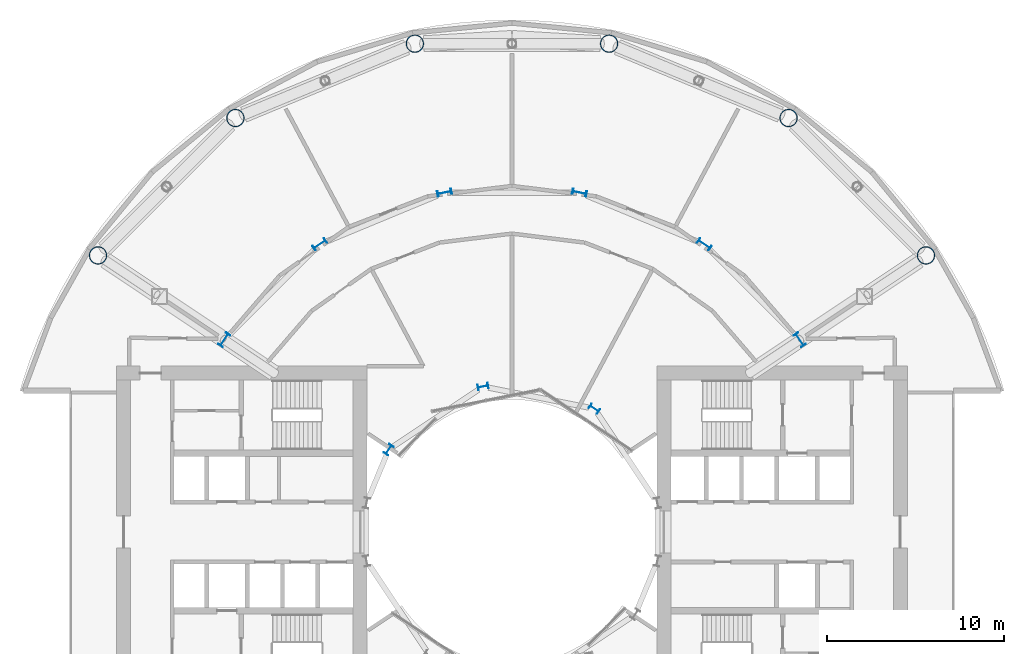
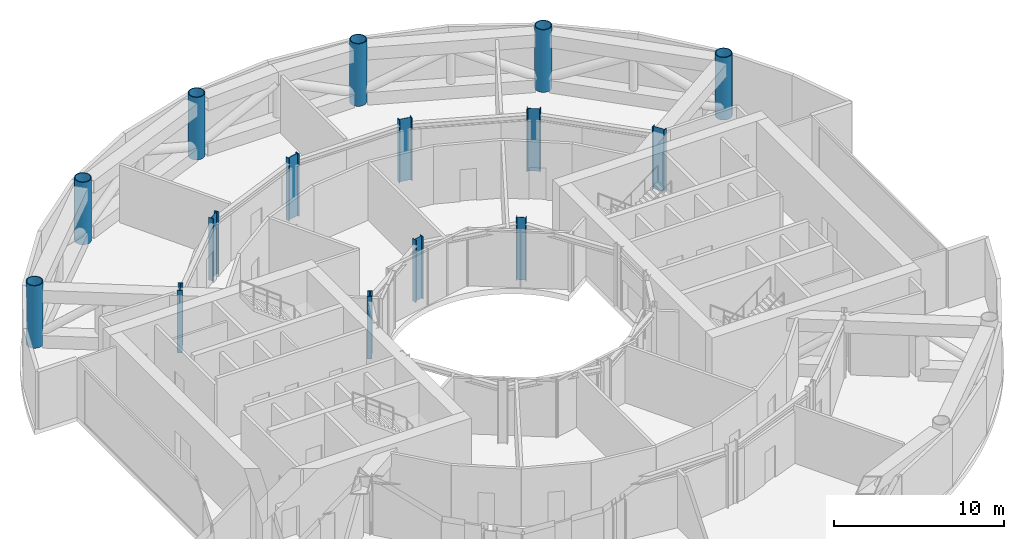
# One storey, part 2 of 15: 15 columns.
"""IFC4 building model written with IfcOpenShell, lengths in metres."""

from ifc_helpers import new_model, si_unit, direction, frame, origin, origin_2d, place, context, subcontext, project, spatial, hollow_circle, i_section, extrude, material, material_profile, profile_set, type_object, element, save


model = new_model("IFC4")

# Units and contexts
model_context = context("Model", 3, precision=1e-05, world=origin(), true_north=direction((0.0, 1.0)))
body_context = subcontext(model_context, "Body", "Model", "MODEL_VIEW")
ifc_project = project(units=[si_unit("LENGTHUNIT", "METRE"), si_unit("AREAUNIT", "SQUARE_METRE"), si_unit("VOLUMEUNIT", "CUBIC_METRE"), si_unit("PLANEANGLEUNIT", "RADIAN"), si_unit("MASSUNIT", "GRAM", prefix="KILO")], contexts=[model_context])

# Site, building, storey
site_placement = place(None, origin())
site = spatial("IfcSite", under=ifc_project, at=site_placement, CompositionType="ELEMENT")
building_placement = place(site_placement, origin())
building = spatial("IfcBuilding", under=site, at=building_placement, Name="Maasbend Ring Residences", CompositionType="ELEMENT")
storey_placement = place(building_placement, frame((0.0, 0.0, 18.300048828125)))
storey = spatial("IfcBuildingStorey", under=building, at=storey_placement, Name="L04", CompositionType="ELEMENT", Elevation=18.300048828125)

# Columns
ifc_material_1 = material(Name="Composite concrete-filled steel tube S460NH / C80/95", Category="concrete")
ifc_material_profile_1 = material_profile(ifc_material_1, hollow_circle(Radius=0.508056640625, WallThickness=0.050048828125, at=origin_2d()), Name="Composite tube column CHS 1016x50")
ifc_profile_set_1 = profile_set([ifc_material_profile_1], Name="Composite concrete-filled steel tube S460NH / C80/95")
column_type_1 = type_object("IfcColumnType", Name="Composite tube column CHS 1016x50", PredefinedType="COLUMN", material=ifc_profile_set_1)
for number, where, z_axis, x_axis, name in (
    (1, (23.447509765625, 15.6669921875, 0.0), (0.0, 0.0, 1.0), (1.0, 0.0, 0.0), "Outer column R2"),
    (2, (15.6669921875, 23.447509765625, 0.0), (0.0, 0.0, 1.0), (1.0, 0.0, 0.0), "Outer column R3"),
    (3, (5.50146484375, 27.658203125, 0.0), (0.0, 0.0, 1.0), (1.0, 0.0, 0.0), "Outer column R4"),
    (4, (-5.50146484375, 27.658203125, 0.0), (0.0, 0.0, 1.0), (1.0, 0.0, 0.0), "Outer column R5"),
    (5, (-15.6669921875, 23.447509765625, 0.0), (0.0, 0.0, 1.0), (1.0, 0.0, 0.0), "Outer column R6"),
    (6, (-23.447509765625, 15.6669921875, 0.0), (0.0, 0.0, 1.0), (1.0, 0.0, 0.0), "Outer column R7"),
):
    element("IfcColumn", number, at=place(storey_placement, frame(where, z_axis=z_axis, x_axis=x_axis)), inside=storey, type_object=column_type_1, Name=name, PredefinedType="COLUMN", context=body_context, shape_type="SweptSolid", body=[
        extrude(hollow_circle(Radius=0.508056640625, WallThickness=0.050048828125, at=origin_2d()), origin(), (0.0, 0.0, 1.0), 4.5),
    ])
ifc_material_2 = material(Name="Steel S460M", Category="steel")
ifc_material_profile_2 = material_profile(ifc_material_2, i_section(OverallWidth=0.300048828125, OverallDepth=0.60009765625, WebThickness=0.015380859375, FlangeThickness=0.030029296875, FilletRadius=0.027099609375, at=origin_2d()), Name="HEB 600")
ifc_profile_set_2 = profile_set([ifc_material_profile_2], Name="Steel S460M")
column_type_2 = type_object("IfcColumnType", Name="Steel column HEB 600", PredefinedType="COLUMN", material=ifc_profile_set_2)
for number, where, z_axis, x_axis, name in (
    (7, (4.666748046875, 6.984375, 0.0), (0.0, 0.0, 1.0), (0.55557023302, 0.831469612303, 0.0), "Well ring column R3"),
    (8, (-1.638916015625, 8.238525390625, 0.0), (0.0, 0.0, 1.0), (-0.195090322016, 0.980785280403, 0.0), "Well ring column R5"),
    (9, (-6.984375, 4.666748046875, 0.0), (0.0, 0.0, 1.0), (-0.831469612303, 0.55557023302, 0.0), "Well ring column R7"),
):
    element("IfcColumn", number, at=place(storey_placement, frame(where, z_axis=z_axis, x_axis=x_axis)), inside=storey, type_object=column_type_2, Name=name, PredefinedType="COLUMN", context=body_context, shape_type="SweptSolid", body=[
        extrude(i_section(OverallWidth=0.300048828125, OverallDepth=0.60009765625, WebThickness=0.015380859375, FlangeThickness=0.030029296875, FilletRadius=0.027099609375, at=origin_2d()), origin(), (0.0, 0.0, 1.0), 4.5),
    ])
ifc_material_3 = material(Name="Steel S460M", Category="steel")
ifc_material_profile_3 = material_profile(ifc_material_3, i_section(OverallWidth=0.302978515625, OverallDepth=0.81396484375, WebThickness=0.02099609375, FlangeThickness=0.0400390625, FilletRadius=0.030029296875, at=origin_2d()), Name="HEM 800")
ifc_profile_set_3 = profile_set([ifc_material_profile_3], Name="Steel S460M")
column_type_3 = type_object("IfcColumnType", Name="Steel column HEM 800", PredefinedType="COLUMN", material=ifc_profile_set_3)
for number, where, z_axis, x_axis, name in (
    (10, (16.296875, 10.88916015625, 0.0), (0.0, 0.0, 1.0), (0.831469612303, 0.55557023302, 0.0), "Corridor ring column R2"),
    (11, (10.88916015625, 16.296875, 0.0), (0.0, 0.0, 1.0), (0.55557023302, 0.831469612303, 0.0), "Corridor ring column R3"),
    (12, (3.82373046875, 19.223388671875, 0.0), (0.0, 0.0, 1.0), (0.195090322016, 0.980785280403, 0.0), "Corridor ring column R4"),
    (13, (-3.82373046875, 19.223388671875, 0.0), (0.0, 0.0, 1.0), (-0.195090322016, 0.980785280403, 0.0), "Corridor ring column R5"),
    (14, (-10.88916015625, 16.296875, 0.0), (0.0, 0.0, 1.0), (-0.55557023302, 0.831469612303, 0.0), "Corridor ring column R6"),
    (15, (-16.296875, 10.88916015625, 0.0), (0.0, 0.0, 1.0), (-0.831469612303, 0.55557023302, 0.0), "Corridor ring column R7"),
):
    element("IfcColumn", number, at=place(storey_placement, frame(where, z_axis=z_axis, x_axis=x_axis)), inside=storey, type_object=column_type_3, Name=name, PredefinedType="COLUMN", context=body_context, shape_type="SweptSolid", body=[
        extrude(i_section(OverallWidth=0.302978515625, OverallDepth=0.81396484375, WebThickness=0.02099609375, FlangeThickness=0.0400390625, FilletRadius=0.030029296875, at=origin_2d()), origin(), (0.0, 0.0, 1.0), 4.5),
    ])

save(model, "model.ifc")
